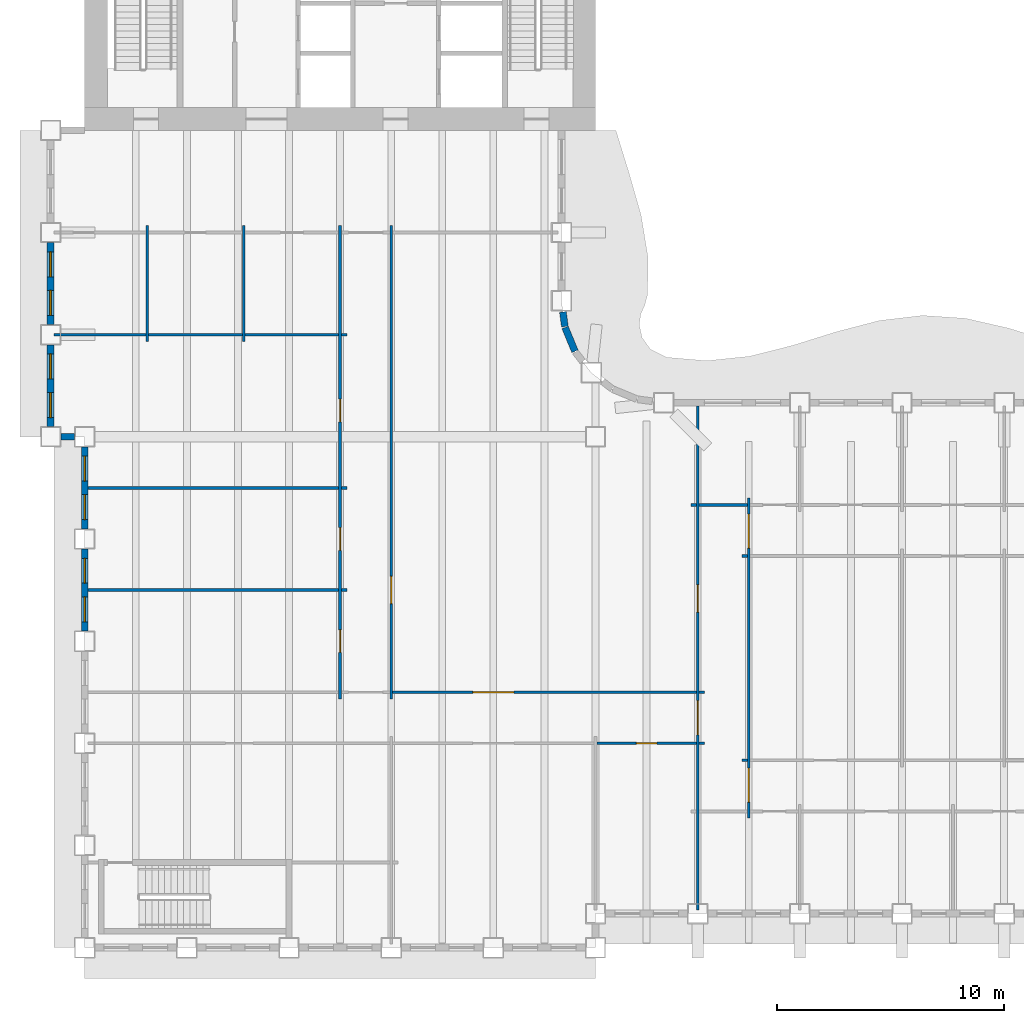
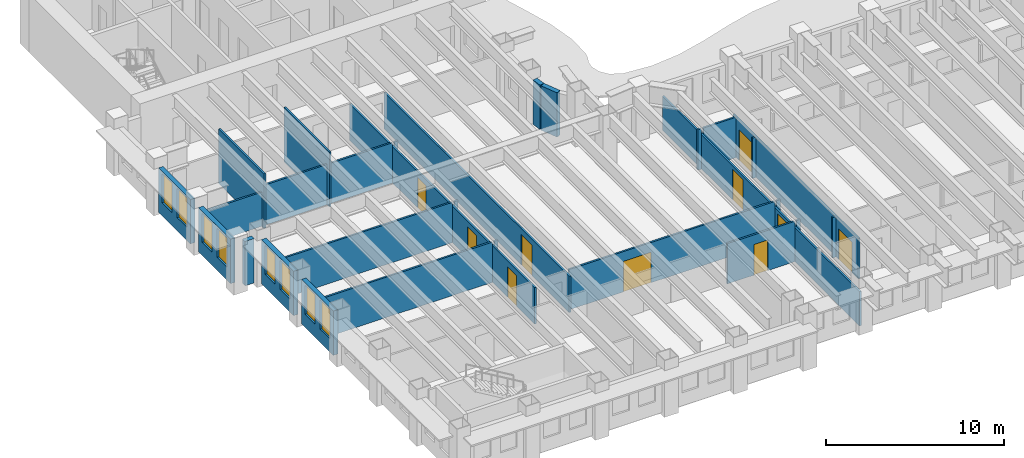
# One storey, part 4 of 16: 29 walls, 10 doors, 8 windows, 18 openings.
"""IFC4 building model written with IfcOpenShell, lengths in metres."""

from ifc_helpers import new_model, si_unit, direction, frame, frame_2d, origin, place, context, subcontext, project, spatial, rectangle, extrude, material, layer, layer_set, type_object, element, fill, save


model = new_model("IFC4")

# Units and contexts
model_context = context("Model", 3, precision=1e-05, world=origin(), true_north=direction((0.0, 1.0)))
body_context = subcontext(model_context, "Body", "Model", "MODEL_VIEW")
ifc_project = project(units=[si_unit("LENGTHUNIT", "METRE"), si_unit("AREAUNIT", "SQUARE_METRE"), si_unit("VOLUMEUNIT", "CUBIC_METRE"), si_unit("PLANEANGLEUNIT", "RADIAN"), si_unit("MASSUNIT", "GRAM", prefix="KILO")], contexts=[model_context])

# Site, building, storey
site_placement = place(None, origin())
site = spatial("IfcSite", under=ifc_project, at=site_placement, CompositionType="ELEMENT")
building_placement = place(site_placement, origin())
building = spatial("IfcBuilding", under=site, at=building_placement, Name="Sennacour Bend Tower", CompositionType="ELEMENT")
storey_placement = place(building_placement, frame((0.0, 0.0, 183.0)))
storey = spatial("IfcBuildingStorey", under=building, at=storey_placement, Name="L42", CompositionType="ELEMENT", Elevation=183.0)

# Walls
ifc_material_1 = material(Name="Plasterboard partition on steel studs", Category="steel")
ifc_layer_1 = layer(ifc_material_1, 0.1201171875, Name="Plasterboard partition on steel studs", Category="steel")
ifc_layer_set_1 = layer_set([ifc_layer_1], Name="Plasterboard partition on steel studs")
wall_type_1 = type_object("IfcWallType", Name="Partition 120", PredefinedType="PARTITIONING", material=ifc_layer_set_1)
for number, where, z_axis, x_axis, name in (
    (1, (2.75, 26.699951171875, 0.0), (0.0, 0.0, 1.0), (0.0, 1.0, 0.0), "P-L42-W004a"),
    (2, (7.0, 26.699951171875, 0.0), (0.0, 0.0, 1.0), (0.0, 1.0, 0.0), "P-L42-W008a"),
):
    element("IfcWall", number, at=place(storey_placement, frame(where, z_axis=z_axis, x_axis=x_axis)), inside=storey, type_object=wall_type_1, Name=name, PredefinedType="PARTITIONING", context=body_context, shape_type="SweptSolid", body=[
        extrude(rectangle(XDim=5.10009765625, YDim=0.1201171875, at=frame_2d((2.550048828125, 0.0))), origin(), (0.0, 0.0, 1.0), 3.75),
    ])

# Wall, openings, doors
wall_1_placement = place(storey_placement, frame((11.25, 10.949951171875, 0.0), z_axis=(0.0, 0.0, 1.0), x_axis=(0.0, 1.0, 0.0)))
wall_1 = element("IfcWall", 3, at=wall_1_placement, inside=storey, type_object=wall_type_1, Name="P-L42-W011a", PredefinedType="PARTITIONING", context=body_context, shape_type="SweptSolid", body=[
    extrude(rectangle(XDim=20.85009765625, YDim=0.1201171875, at=frame_2d((10.425048828125, 0.0))), origin(), (0.0, 0.0, 1.0), 2.5),
])
opening_1_placement = place(wall_1_placement, frame((2.050048828125, 0.0, 0.0)))
opening_1 = element("IfcOpeningElement", 4, at=opening_1_placement, cuts=wall_1, Name="Opening OD2", PredefinedType="OPENING", context=body_context, shape_type="SweptSolid", body=[
    extrude(rectangle(XDim=1.0, YDim=2.10009765625, at=frame_2d((0.5, 1.050048828125))), frame((0.0, 0.070068359375, 0.0), z_axis=(0.0, -1.0, 0.0), x_axis=(1.0, 0.0, 0.0)), (0.0, 0.0, 1.0), 0.14013671875),
])
opening_2_placement = place(wall_1_placement, frame((6.550048828125, 0.0, 0.0)))
opening_2 = element("IfcOpeningElement", 5, at=opening_2_placement, cuts=wall_1, Name="Opening OD2", PredefinedType="OPENING", context=body_context, shape_type="SweptSolid", body=[
    extrude(rectangle(XDim=1.0, YDim=2.10009765625, at=frame_2d((0.5, 1.050048828125))), frame((0.0, 0.070068359375, 0.0), z_axis=(0.0, -1.0, 0.0), x_axis=(1.0, 0.0, 0.0)), (0.0, 0.0, 1.0), 0.14013671875),
])
opening_3_placement = place(wall_1_placement, frame((12.205078125, 0.0, 0.0)))
opening_3 = element("IfcOpeningElement", 6, at=opening_3_placement, cuts=wall_1, Name="Opening OD2", PredefinedType="OPENING", context=body_context, shape_type="SweptSolid", body=[
    extrude(rectangle(XDim=1.0, YDim=2.10009765625, at=frame_2d((0.5, 1.050048828125))), frame((0.0, 0.070068359375, 0.0), z_axis=(0.0, -1.0, 0.0), x_axis=(1.0, 0.0, 0.0)), (0.0, 0.0, 1.0), 0.14013671875),
])
ifc_material_2 = material(Name="Timber", Category="wood")
door_type_1 = type_object("IfcDoorType", Name="DR-OFFICE-1000", OperationType="NOTDEFINED", PredefinedType="DOOR", material=ifc_material_2)
door_1_placement = place(opening_1_placement, origin())
door_1 = element("IfcDoor", 7, at=door_1_placement, inside=storey, type_object=door_type_1, Name="Door", OperationType="SINGLE_SWING_LEFT", OverallHeight=2.10009765625, OverallWidth=1.0, PredefinedType="DOOR", context=body_context, shape_type="SweptSolid", body=[
    extrude(rectangle(XDim=1.0, YDim=2.10009765625, at=frame_2d((0.5, 1.050048828125))), frame((0.0, 0.02490234375, 0.0), z_axis=(0.0, -1.0, 0.0), x_axis=(1.0, 0.0, 0.0)), (0.0, 0.0, 1.0), 0.050048828125),
])
fill(opening_1, door_1)
door_2_placement = place(opening_2_placement, origin())
door_2 = element("IfcDoor", 8, at=door_2_placement, inside=storey, type_object=door_type_1, Name="Door", OperationType="SINGLE_SWING_LEFT", OverallHeight=2.10009765625, OverallWidth=1.0, PredefinedType="DOOR", context=body_context, shape_type="SweptSolid", body=[
    extrude(rectangle(XDim=1.0, YDim=2.10009765625, at=frame_2d((0.5, 1.050048828125))), frame((0.0, 0.02490234375, 0.0), z_axis=(0.0, -1.0, 0.0), x_axis=(1.0, 0.0, 0.0)), (0.0, 0.0, 1.0), 0.050048828125),
])
fill(opening_2, door_2)
door_3_placement = place(opening_3_placement, origin())
door_3 = element("IfcDoor", 9, at=door_3_placement, inside=storey, type_object=door_type_1, Name="Door", OperationType="SINGLE_SWING_RIGHT", OverallHeight=2.10009765625, OverallWidth=1.0, PredefinedType="DOOR", context=body_context, shape_type="SweptSolid", body=[
    extrude(rectangle(XDim=1.0, YDim=2.10009765625, at=frame_2d((0.5, 1.050048828125))), frame((0.0, 0.02490234375, 0.0), z_axis=(0.0, -1.0, 0.0), x_axis=(1.0, 0.0, 0.0)), (0.0, 0.0, 1.0), 0.050048828125),
])
fill(opening_3, door_3)

# Wall, opening, door
wall_2_placement = place(storey_placement, frame((13.5, 10.949951171875, 0.0), z_axis=(0.0, 0.0, 1.0), x_axis=(0.0, 1.0, 0.0)))
wall_2 = element("IfcWall", 10, at=wall_2_placement, inside=storey, type_object=wall_type_1, Name="P-L42-W014a", PredefinedType="PARTITIONING", context=body_context, shape_type="SweptSolid", body=[
    extrude(rectangle(XDim=20.85009765625, YDim=0.1201171875, at=frame_2d((10.425048828125, 0.0))), origin(), (0.0, 0.0, 1.0), 2.5),
])
opening_4_placement = place(wall_2_placement, frame((4.199951171875, 0.0, 0.0)))
opening_4 = element("IfcOpeningElement", 11, at=opening_4_placement, cuts=wall_2, Name="Opening OD", PredefinedType="OPENING", context=body_context, shape_type="SweptSolid", body=[
    extrude(rectangle(XDim=1.199951171875, YDim=2.10009765625, at=frame_2d((0.60009765625, 1.050048828125))), frame((0.0, 0.070068359375, 0.0), z_axis=(0.0, -1.0, 0.0), x_axis=(1.0, 0.0, 0.0)), (0.0, 0.0, 1.0), 0.14013671875),
])
door_type_2 = type_object("IfcDoorType", Name="DR-OFFICE-1200", OperationType="NOTDEFINED", PredefinedType="DOOR", material=ifc_material_2)
door_4_placement = place(opening_4_placement, origin())
door_4 = element("IfcDoor", 12, at=door_4_placement, inside=storey, type_object=door_type_2, Name="Door", OperationType="SINGLE_SWING_LEFT", OverallHeight=2.10009765625, OverallWidth=1.199951171875, PredefinedType="DOOR", context=body_context, shape_type="SweptSolid", body=[
    extrude(rectangle(XDim=1.199951171875, YDim=2.10009765625, at=frame_2d((0.60009765625, 1.050048828125))), frame((0.0, 0.02490234375, 0.0), z_axis=(0.0, -1.0, 0.0), x_axis=(1.0, 0.0, 0.0)), (0.0, 0.0, 1.0), 0.050048828125),
])
fill(opening_4, door_4)

# Walls
for number, where, z_axis, x_axis, name in (
    (13, (28.949951171875, 8.25, 0.0), (0.0, 0.0, 1.0), (1.0, 0.0, 0.0), "P-L42-W058aa"),
    (14, (27.06005859375, 9.0, 0.0), (0.0, 0.0, 1.0), (1.0, 0.0, 0.0), "P-L42-W059ad"),
):
    element("IfcWall", number, at=place(storey_placement, frame(where, z_axis=z_axis, x_axis=x_axis)), inside=storey, type_object=wall_type_1, Name=name, PredefinedType="PARTITIONING", context=body_context, shape_type="SweptSolid", body=[
        extrude(rectangle(XDim=0.239990234375, YDim=0.1201171875, at=frame_2d((0.1201171875, 0.0))), origin(), (0.0, 0.0, 1.0), 2.77001953125),
    ])

# Wall, opening, door
wall_3_placement = place(storey_placement, frame((13.56005859375, 11.25, 0.0), z_axis=(0.0, 0.0, 1.0), x_axis=(1.0, 0.0, 0.0)))
wall_3 = element("IfcWall", 15, at=wall_3_placement, inside=storey, type_object=wall_type_1, Name="P-L42-W061ac", PredefinedType="PARTITIONING", context=body_context, shape_type="SweptSolid", body=[
    extrude(rectangle(XDim=13.3798828125, YDim=0.1201171875, at=frame_2d((6.68994140625, 0.0))), origin(), (0.0, 0.0, 1.0), 2.77001953125),
])
opening_5_placement = place(wall_3_placement, frame((3.539794921875, 0.0, 0.0)))
opening_5 = element("IfcOpeningElement", 16, at=opening_5_placement, cuts=wall_3, Name="Opening OD3", PredefinedType="OPENING", context=body_context, shape_type="SweptSolid", body=[
    extrude(rectangle(XDim=1.800048828125, YDim=2.10009765625, at=frame_2d((0.89990234375, 1.050048828125))), frame((0.0, 0.070068359375, 0.0), z_axis=(0.0, -1.0, 0.0), x_axis=(1.0, 0.0, 0.0)), (0.0, 0.0, 1.0), 0.14013671875),
])
door_type_3 = type_object("IfcDoorType", Name="DR-OFFICE-1800", OperationType="NOTDEFINED", PredefinedType="DOOR", material=ifc_material_2)
door_5_placement = place(opening_5_placement, origin())
door_5 = element("IfcDoor", 17, at=door_5_placement, inside=storey, type_object=door_type_3, Name="Door", OperationType="DOUBLE_DOOR_SINGLE_SWING", OverallHeight=2.10009765625, OverallWidth=1.800048828125, PredefinedType="DOOR", context=body_context, shape_type="SweptSolid", body=[
    extrude(rectangle(XDim=1.800048828125, YDim=2.10009765625, at=frame_2d((0.89990234375, 1.050048828125))), frame((0.0, 0.02490234375, 0.0), z_axis=(0.0, -1.0, 0.0), x_axis=(1.0, 0.0, 0.0)), (0.0, 0.0, 1.0), 0.050048828125),
])
fill(opening_5, door_5)

# Walls
wall_4_placement = place(storey_placement, frame((27.06005859375, 11.25, 0.0), z_axis=(0.0, 0.0, 1.0), x_axis=(1.0, 0.0, 0.0)))
element("IfcWall", 18, at=wall_4_placement, inside=storey, type_object=wall_type_1, Name="P-L42-W061ad", PredefinedType="PARTITIONING", context=body_context, shape_type="SweptSolid", body=[
    extrude(rectangle(XDim=0.239990234375, YDim=0.1201171875, at=frame_2d((0.1201171875, 0.0))), origin(), (0.0, 0.0, 1.0), 2.77001953125),
])
wall_5_placement = place(storey_placement, frame((0.14990234375, 15.75, 0.0), z_axis=(0.0, 0.0, 1.0), x_axis=(1.0, 0.0, 0.0)))
element("IfcWall", 19, at=wall_5_placement, inside=storey, type_object=wall_type_1, Name="P-L42-W067aa", PredefinedType="PARTITIONING", context=body_context, shape_type="SweptSolid", body=[
    extrude(rectangle(XDim=11.0400390625, YDim=0.1201171875, at=frame_2d((5.52001953125, 0.0))), origin(), (0.0, 0.0, 1.0), 2.77001953125),
])
for number, where, z_axis, x_axis, name in (
    (20, (11.31005859375, 15.75, 0.0), (0.0, 0.0, 1.0), (1.0, 0.0, 0.0), "P-L42-W067ab"),
    (21, (28.949951171875, 17.25, 0.0), (0.0, 0.0, 1.0), (1.0, 0.0, 0.0), "P-L42-W068aa"),
    (22, (26.699951171875, 19.5, 0.0), (0.0, 0.0, 1.0), (1.0, 0.0, 0.0), "P-L42-W072aa"),
):
    element("IfcWall", number, at=place(storey_placement, frame(where, z_axis=z_axis, x_axis=x_axis)), inside=storey, type_object=wall_type_1, Name=name, PredefinedType="PARTITIONING", context=body_context, shape_type="SweptSolid", body=[
        extrude(rectangle(XDim=0.239990234375, YDim=0.1201171875, at=frame_2d((0.1201171875, 0.0))), origin(), (0.0, 0.0, 1.0), 2.77001953125),
    ])
wall_6_placement = place(storey_placement, frame((27.06005859375, 19.5, 0.0), z_axis=(0.0, 0.0, 1.0), x_axis=(1.0, 0.0, 0.0)))
element("IfcWall", 23, at=wall_6_placement, inside=storey, type_object=wall_type_1, Name="P-L42-W072ab", PredefinedType="PARTITIONING", context=body_context, shape_type="SweptSolid", body=[
    extrude(rectangle(XDim=2.1298828125, YDim=0.1201171875, at=frame_2d((1.06494140625, 0.0))), origin(), (0.0, 0.0, 1.0), 2.77001953125),
])
wall_7_placement = place(storey_placement, frame((0.14990234375, 20.25, 0.0), z_axis=(0.0, 0.0, 1.0), x_axis=(1.0, 0.0, 0.0)))
element("IfcWall", 24, at=wall_7_placement, inside=storey, type_object=wall_type_1, Name="P-L42-W073aa", PredefinedType="PARTITIONING", context=body_context, shape_type="SweptSolid", body=[
    extrude(rectangle(XDim=11.0400390625, YDim=0.1201171875, at=frame_2d((5.52001953125, 0.0))), origin(), (0.0, 0.0, 1.0), 2.77001953125),
])
wall_8_placement = place(storey_placement, frame((11.31005859375, 20.25, 0.0), z_axis=(0.0, 0.0, 1.0), x_axis=(1.0, 0.0, 0.0)))
element("IfcWall", 25, at=wall_8_placement, inside=storey, type_object=wall_type_1, Name="P-L42-W073ab", PredefinedType="PARTITIONING", context=body_context, shape_type="SweptSolid", body=[
    extrude(rectangle(XDim=0.239990234375, YDim=0.1201171875, at=frame_2d((0.1201171875, 0.0))), origin(), (0.0, 0.0, 1.0), 2.77001953125),
])
wall_9_placement = place(storey_placement, frame((-1.35009765625, 27.0, 0.0), z_axis=(0.0, 0.0, 1.0), x_axis=(1.0, 0.0, 0.0)))
element("IfcWall", 26, at=wall_9_placement, inside=storey, type_object=wall_type_1, Name="P-L42-W075aa", PredefinedType="PARTITIONING", context=body_context, shape_type="SweptSolid", body=[
    extrude(rectangle(XDim=4.0400390625, YDim=0.1201171875, at=frame_2d((2.02001953125, 0.0))), origin(), (0.0, 0.0, 1.0), 2.35009765625),
])
for number, where, z_axis, x_axis, name in (
    (27, (2.81005859375, 27.0, 0.0), (0.0, 0.0, 1.0), (1.0, 0.0, 0.0), "P-L42-W075ab"),
    (28, (7.06005859375, 27.0, 0.0), (0.0, 0.0, 1.0), (1.0, 0.0, 0.0), "P-L42-W075ac"),
):
    element("IfcWall", number, at=place(storey_placement, frame(where, z_axis=z_axis, x_axis=x_axis)), inside=storey, type_object=wall_type_1, Name=name, PredefinedType="PARTITIONING", context=body_context, shape_type="SweptSolid", body=[
        extrude(rectangle(XDim=4.1298828125, YDim=0.1201171875, at=frame_2d((2.06494140625, 0.0))), origin(), (0.0, 0.0, 1.0), 2.77001953125),
    ])
wall_10_placement = place(storey_placement, frame((11.31005859375, 27.0, 0.0), z_axis=(0.0, 0.0, 1.0), x_axis=(1.0, 0.0, 0.0)))
element("IfcWall", 29, at=wall_10_placement, inside=storey, type_object=wall_type_1, Name="P-L42-W075ad", PredefinedType="PARTITIONING", context=body_context, shape_type="SweptSolid", body=[
    extrude(rectangle(XDim=0.239990234375, YDim=0.1201171875, at=frame_2d((0.1201171875, 0.0))), origin(), (0.0, 0.0, 1.0), 2.77001953125),
])

# Wall, openings, doors
ifc_layer_2 = layer(ifc_material_1, 0.1201171875, Name="Plasterboard partition on steel studs", Category="steel")
ifc_layer_set_2 = layer_set([ifc_layer_2], Name="Plasterboard partition on steel studs")
wall_type_2 = type_object("IfcWallType", Name="Partition 120 EI 30", PredefinedType="PARTITIONING", material=ifc_layer_set_2)
wall_11_placement = place(storey_placement, frame((27.0, 1.64990234375, 0.0), z_axis=(0.0, 0.0, 1.0), x_axis=(0.0, 1.0, 0.0)))
wall_11 = element("IfcWall", 30, at=wall_11_placement, inside=storey, type_object=wall_type_2, Name="P-L42-W022a", PredefinedType="PARTITIONING", context=body_context, shape_type="SweptSolid", body=[
    extrude(rectangle(XDim=22.2001953125, YDim=0.1201171875, at=frame_2d((11.10009765625, 0.0))), origin(), (0.0, 0.0, 1.0), 2.35009765625),
])
opening_6_placement = place(wall_11_placement, frame((7.72509765625, 0.0, 0.0)))
opening_6 = element("IfcOpeningElement", 31, at=opening_6_placement, cuts=wall_11, Name="Opening KD", PredefinedType="OPENING", context=body_context, shape_type="SweptSolid", body=[
    extrude(rectangle(XDim=1.5, YDim=2.10009765625, at=frame_2d((0.75, 1.050048828125))), frame((0.0, 0.070068359375, 0.0), z_axis=(0.0, -1.0, 0.0), x_axis=(1.0, 0.0, 0.0)), (0.0, 0.0, 1.0), 0.14013671875),
])
opening_7_placement = place(wall_11_placement, frame((13.125, 0.0, 0.0)))
opening_7 = element("IfcOpeningElement", 32, at=opening_7_placement, cuts=wall_11, Name="Opening OD", PredefinedType="OPENING", context=body_context, shape_type="SweptSolid", body=[
    extrude(rectangle(XDim=1.199951171875, YDim=2.10009765625, at=frame_2d((0.60009765625, 1.050048828125))), frame((0.0, 0.070068359375, 0.0), z_axis=(0.0, -1.0, 0.0), x_axis=(1.0, 0.0, 0.0)), (0.0, 0.0, 1.0), 0.14013671875),
])
ifc_material_3 = material(Name="Painted steel", Category="steel")
door_type_4 = type_object("IfcDoorType", Name="DR-CORRIDOR-1500", OperationType="NOTDEFINED", PredefinedType="DOOR", material=ifc_material_3)
door_6_placement = place(opening_6_placement, origin())
door_6 = element("IfcDoor", 33, at=door_6_placement, inside=storey, type_object=door_type_4, Name="Door", OperationType="SINGLE_SWING_LEFT", OverallHeight=2.10009765625, OverallWidth=1.5, PredefinedType="DOOR", context=body_context, shape_type="SweptSolid", body=[
    extrude(rectangle(XDim=1.5, YDim=2.10009765625, at=frame_2d((0.75, 1.050048828125))), frame((0.0, 0.02490234375, 0.0), z_axis=(0.0, -1.0, 0.0), x_axis=(1.0, 0.0, 0.0)), (0.0, 0.0, 1.0), 0.050048828125),
])
fill(opening_6, door_6)
door_7_placement = place(opening_7_placement, origin())
door_7 = element("IfcDoor", 34, at=door_7_placement, inside=storey, type_object=door_type_2, Name="Door", OperationType="SINGLE_SWING_RIGHT", OverallHeight=2.10009765625, OverallWidth=1.199951171875, PredefinedType="DOOR", context=body_context, shape_type="SweptSolid", body=[
    extrude(rectangle(XDim=1.199951171875, YDim=2.10009765625, at=frame_2d((0.60009765625, 1.050048828125))), frame((0.0, 0.02490234375, 0.0), z_axis=(0.0, -1.0, 0.0), x_axis=(1.0, 0.0, 0.0)), (0.0, 0.0, 1.0), 0.050048828125),
])
fill(opening_7, door_7)

wall_12_placement = place(storey_placement, frame((29.25, 5.699951171875, 0.0), z_axis=(0.0, 0.0, 1.0), x_axis=(0.0, 1.0, 0.0)))
wall_12 = element("IfcWall", 35, at=wall_12_placement, inside=storey, type_object=wall_type_2, Name="P-L42-W023a", PredefinedType="PARTITIONING", context=body_context, shape_type="SweptSolid", body=[
    extrude(rectangle(XDim=14.10009765625, YDim=0.1201171875, at=frame_2d((7.050048828125, 0.0))), origin(), (0.0, 0.0, 1.0), 2.77001953125),
])
opening_8_placement = place(wall_12_placement, frame((0.705078125, 0.0, 0.0)))
opening_8 = element("IfcOpeningElement", 36, at=opening_8_placement, cuts=wall_12, Name="Opening KD", PredefinedType="OPENING", context=body_context, shape_type="SweptSolid", body=[
    extrude(rectangle(XDim=1.5, YDim=2.10009765625, at=frame_2d((0.75, 1.050048828125))), frame((0.0, 0.070068359375, 0.0), z_axis=(0.0, -1.0, 0.0), x_axis=(1.0, 0.0, 0.0)), (0.0, 0.0, 1.0), 0.14013671875),
])
opening_9_placement = place(wall_12_placement, frame((11.89501953125, 0.0, 0.0)))
opening_9 = element("IfcOpeningElement", 37, at=opening_9_placement, cuts=wall_12, Name="Opening KD", PredefinedType="OPENING", context=body_context, shape_type="SweptSolid", body=[
    extrude(rectangle(XDim=1.5, YDim=2.10009765625, at=frame_2d((0.75, 1.050048828125))), frame((0.0, 0.070068359375, 0.0), z_axis=(0.0, -1.0, 0.0), x_axis=(1.0, 0.0, 0.0)), (0.0, 0.0, 1.0), 0.14013671875),
])
door_8_placement = place(opening_8_placement, origin())
door_8 = element("IfcDoor", 38, at=door_8_placement, inside=storey, type_object=door_type_4, Name="Door", OperationType="SINGLE_SWING_LEFT", OverallHeight=2.10009765625, OverallWidth=1.5, PredefinedType="DOOR", context=body_context, shape_type="SweptSolid", body=[
    extrude(rectangle(XDim=1.5, YDim=2.10009765625, at=frame_2d((0.75, 1.050048828125))), frame((0.0, 0.02490234375, 0.0), z_axis=(0.0, -1.0, 0.0), x_axis=(1.0, 0.0, 0.0)), (0.0, 0.0, 1.0), 0.050048828125),
])
fill(opening_8, door_8)
door_9_placement = place(opening_9_placement, origin())
door_9 = element("IfcDoor", 39, at=door_9_placement, inside=storey, type_object=door_type_4, Name="Door", OperationType="SINGLE_SWING_RIGHT", OverallHeight=2.10009765625, OverallWidth=1.5, PredefinedType="DOOR", context=body_context, shape_type="SweptSolid", body=[
    extrude(rectangle(XDim=1.5, YDim=2.10009765625, at=frame_2d((0.75, 1.050048828125))), frame((0.0, 0.02490234375, 0.0), z_axis=(0.0, -1.0, 0.0), x_axis=(1.0, 0.0, 0.0)), (0.0, 0.0, 1.0), 0.050048828125),
])
fill(opening_9, door_9)

# Wall, opening, door
ifc_layer_3 = layer(ifc_material_1, 0.1201171875, Name="Plasterboard partition on steel studs", Category="steel")
ifc_layer_set_3 = layer_set([ifc_layer_3], Name="Plasterboard partition on steel studs")
wall_type_3 = type_object("IfcWallType", Name="Partition 120 EI 60", PredefinedType="PARTITIONING", material=ifc_layer_set_3)
wall_13_placement = place(storey_placement, frame((22.56005859375, 9.0, 0.0), z_axis=(0.0, 0.0, 1.0), x_axis=(1.0, 0.0, 0.0)))
wall_13 = element("IfcWall", 40, at=wall_13_placement, inside=storey, type_object=wall_type_3, Name="P-L42-W059ac", PredefinedType="PARTITIONING", context=body_context, shape_type="SweptSolid", body=[
    extrude(rectangle(XDim=4.3798828125, YDim=0.1201171875, at=frame_2d((2.18994140625, 0.0))), origin(), (0.0, 0.0, 1.0), 2.77001953125),
])
opening_10_placement = place(wall_13_placement, frame((1.739990234375, 0.0, 0.0)))
opening_10 = element("IfcOpeningElement", 41, at=opening_10_placement, cuts=wall_13, Name="Opening SV", PredefinedType="OPENING", context=body_context, shape_type="SweptSolid", body=[
    extrude(rectangle(XDim=0.89990234375, YDim=2.10009765625, at=frame_2d((0.449951171875, 1.050048828125))), frame((0.0, 0.070068359375, 0.0), z_axis=(0.0, -1.0, 0.0), x_axis=(1.0, 0.0, 0.0)), (0.0, 0.0, 1.0), 0.14013671875),
])
door_type_5 = type_object("IfcDoorType", Name="DR-SERVICE-900", OperationType="NOTDEFINED", PredefinedType="DOOR", material=ifc_material_3)
door_10_placement = place(opening_10_placement, origin())
door_10 = element("IfcDoor", 42, at=door_10_placement, inside=storey, type_object=door_type_5, Name="Door", OperationType="SINGLE_SWING_LEFT", OverallHeight=2.10009765625, OverallWidth=0.89990234375, PredefinedType="DOOR", context=body_context, shape_type="SweptSolid", body=[
    extrude(rectangle(XDim=0.89990234375, YDim=2.10009765625, at=frame_2d((0.449951171875, 1.050048828125))), frame((0.0, 0.02490234375, 0.0), z_axis=(0.0, -1.0, 0.0), x_axis=(1.0, 0.0, 0.0)), (0.0, 0.0, 1.0), 0.050048828125),
])
fill(opening_10, door_10)

# Walls
ifc_material_4 = material(Name="Warm limestone cladding", Category="masonry")
ifc_layer_4 = layer(ifc_material_4, 0.050048828125, Name="Warm limestone cladding", Category="masonry")
ifc_material_5 = material(Name="Precast concrete C40/50", Category="concrete")
ifc_layer_5 = layer(ifc_material_5, 0.25, Name="Precast concrete C40/50", Category="concrete")
ifc_layer_set_4 = layer_set([ifc_layer_4, ifc_layer_5], Name="Precast concrete C40/50 with limestone cladding")
wall_type_4 = type_object("IfcWallType", Name="STONE-CLAD PRECAST SPANDREL 300", PredefinedType="STANDARD", material=ifc_layer_set_4)
wall_14_placement = place(storey_placement, frame((21.59521484375, 26.268310546875, 0.0), z_axis=(0.0, 0.0, 1.0), x_axis=(-0.382598720491, 0.923914616768, 0.0)))
element("IfcWall", 43, at=wall_14_placement, inside=storey, type_object=wall_type_4, Name="Stone spandrel and pier wall L42 13.00", PredefinedType="STANDARD", context=body_context, shape_type="SweptSolid", body=[
    extrude(rectangle(XDim=1.13525390625, YDim=0.300048828125, at=frame_2d((0.567626953125, 0.0))), origin(), (0.0, 0.0, 1.0), 3.049072265625),
])
wall_15_placement = place(storey_placement, frame((21.15087890625, 27.35498046875, 0.0), z_axis=(0.0, 0.0, 1.0), x_axis=(-0.130687655177, 0.991423590996, 0.0)))
element("IfcWall", 44, at=wall_15_placement, inside=storey, type_object=wall_type_4, Name="Stone spandrel and pier wall L42 14.00", PredefinedType="STANDARD", context=body_context, shape_type="SweptSolid", body=[
    extrude(rectangle(XDim=0.650146484375, YDim=0.300048828125, at=frame_2d((0.3251953125, 0.0))), origin(), (0.0, 0.0, 1.0), 3.049072265625),
])

# Wall, openings, windows
wall_16_placement = place(storey_placement, frame((-1.5, 31.050048828125, 0.0), z_axis=(0.0, 0.0, 1.0), x_axis=(0.0, -1.0, 0.0)))
wall_16 = element("IfcWall", 45, at=wall_16_placement, inside=storey, type_object=wall_type_4, Name="Stone spandrel and pier wall L42 21.01", PredefinedType="STANDARD", context=body_context, shape_type="SweptSolid", body=[
    extrude(rectangle(XDim=3.60009765625, YDim=0.300048828125, at=frame_2d((1.800048828125, 0.0))), origin(), (0.0, 0.0, 1.0), 3.049072265625),
])
opening_11_placement = place(wall_16_placement, frame((0.39990234375, 0.0, 0.89990234375)))
opening_11 = element("IfcOpeningElement", 46, at=opening_11_placement, cuts=wall_16, Name="Opening W19", PredefinedType="OPENING", context=body_context, shape_type="SweptSolid", body=[
    extrude(rectangle(XDim=1.10009765625, YDim=2.0, at=frame_2d((0.550048828125, 1.0))), frame((0.0, 0.16015625, 0.0), z_axis=(0.0, -1.0, 0.0), x_axis=(1.0, 0.0, 0.0)), (0.0, 0.0, 1.0), 0.320068359375),
])
opening_12_placement = place(wall_16_placement, frame((2.10009765625, 0.0, 0.89990234375)))
opening_12 = element("IfcOpeningElement", 47, at=opening_12_placement, cuts=wall_16, Name="Opening W19", PredefinedType="OPENING", context=body_context, shape_type="SweptSolid", body=[
    extrude(rectangle(XDim=1.10009765625, YDim=2.0, at=frame_2d((0.550048828125, 1.0))), frame((0.0, 0.16015625, 0.0), z_axis=(0.0, -1.0, 0.0), x_axis=(1.0, 0.0, 0.0)), (0.0, 0.0, 1.0), 0.320068359375),
])
ifc_material_6 = material(Name="Clear low-emissivity glass", Category="glass")
window_type = type_object("IfcWindowType", Name="WIN-RIBBON-1100x2000", PartitioningType="SINGLE_PANEL", PredefinedType="WINDOW", material=ifc_material_6)
window_1_placement = place(opening_11_placement, origin())
window_1 = element("IfcWindow", 48, at=window_1_placement, inside=storey, type_object=window_type, Name="Ribbon window L42 21.01.0", OverallHeight=2.0, OverallWidth=1.10009765625, PartitioningType="SINGLE_PANEL", PredefinedType="WINDOW", context=body_context, shape_type="SweptSolid", body=[
    extrude(rectangle(XDim=1.10009765625, YDim=2.0, at=frame_2d((0.550048828125, 1.0))), frame((0.0, 0.030029296875, 0.0), z_axis=(0.0, -1.0, 0.0), x_axis=(1.0, 0.0, 0.0)), (0.0, 0.0, 1.0), 0.06005859375),
])
fill(opening_11, window_1)
window_2_placement = place(opening_12_placement, origin())
window_2 = element("IfcWindow", 49, at=window_2_placement, inside=storey, type_object=window_type, Name="Ribbon window L42 21.01.1", OverallHeight=2.0, OverallWidth=1.10009765625, PartitioningType="SINGLE_PANEL", PredefinedType="WINDOW", context=body_context, shape_type="SweptSolid", body=[
    extrude(rectangle(XDim=1.10009765625, YDim=2.0, at=frame_2d((0.550048828125, 1.0))), frame((0.0, 0.030029296875, 0.0), z_axis=(0.0, -1.0, 0.0), x_axis=(1.0, 0.0, 0.0)), (0.0, 0.0, 1.0), 0.06005859375),
])
fill(opening_12, window_2)

wall_17_placement = place(storey_placement, frame((-1.5, 26.550048828125, 0.0), z_axis=(0.0, 0.0, 1.0), x_axis=(0.0, -1.0, 0.0)))
wall_17 = element("IfcWall", 50, at=wall_17_placement, inside=storey, type_object=wall_type_4, Name="Stone spandrel and pier wall L42 21.02", PredefinedType="STANDARD", context=body_context, shape_type="SweptSolid", body=[
    extrude(rectangle(XDim=3.60009765625, YDim=0.300048828125, at=frame_2d((1.800048828125, 0.0))), origin(), (0.0, 0.0, 1.0), 3.049072265625),
])
opening_13_placement = place(wall_17_placement, frame((0.39990234375, 0.0, 0.89990234375)))
opening_13 = element("IfcOpeningElement", 51, at=opening_13_placement, cuts=wall_17, Name="Opening W19", PredefinedType="OPENING", context=body_context, shape_type="SweptSolid", body=[
    extrude(rectangle(XDim=1.10009765625, YDim=2.0, at=frame_2d((0.550048828125, 1.0))), frame((0.0, 0.16015625, 0.0), z_axis=(0.0, -1.0, 0.0), x_axis=(1.0, 0.0, 0.0)), (0.0, 0.0, 1.0), 0.320068359375),
])
opening_14_placement = place(wall_17_placement, frame((2.10009765625, 0.0, 0.89990234375)))
opening_14 = element("IfcOpeningElement", 52, at=opening_14_placement, cuts=wall_17, Name="Opening W19", PredefinedType="OPENING", context=body_context, shape_type="SweptSolid", body=[
    extrude(rectangle(XDim=1.10009765625, YDim=2.0, at=frame_2d((0.550048828125, 1.0))), frame((0.0, 0.16015625, 0.0), z_axis=(0.0, -1.0, 0.0), x_axis=(1.0, 0.0, 0.0)), (0.0, 0.0, 1.0), 0.320068359375),
])
window_3_placement = place(opening_13_placement, origin())
window_3 = element("IfcWindow", 53, at=window_3_placement, inside=storey, type_object=window_type, Name="Ribbon window L42 21.02.0", OverallHeight=2.0, OverallWidth=1.10009765625, PartitioningType="SINGLE_PANEL", PredefinedType="WINDOW", context=body_context, shape_type="SweptSolid", body=[
    extrude(rectangle(XDim=1.10009765625, YDim=2.0, at=frame_2d((0.550048828125, 1.0))), frame((0.0, 0.030029296875, 0.0), z_axis=(0.0, -1.0, 0.0), x_axis=(1.0, 0.0, 0.0)), (0.0, 0.0, 1.0), 0.06005859375),
])
fill(opening_13, window_3)
window_4_placement = place(opening_14_placement, origin())
window_4 = element("IfcWindow", 54, at=window_4_placement, inside=storey, type_object=window_type, Name="Ribbon window L42 21.02.1", OverallHeight=2.0, OverallWidth=1.10009765625, PartitioningType="SINGLE_PANEL", PredefinedType="WINDOW", context=body_context, shape_type="SweptSolid", body=[
    extrude(rectangle(XDim=1.10009765625, YDim=2.0, at=frame_2d((0.550048828125, 1.0))), frame((0.0, 0.030029296875, 0.0), z_axis=(0.0, -1.0, 0.0), x_axis=(1.0, 0.0, 0.0)), (0.0, 0.0, 1.0), 0.06005859375),
])
fill(opening_14, window_4)

# Wall
wall_18_placement = place(storey_placement, frame((-1.050048828125, 22.5, 0.0), z_axis=(0.0, 0.0, 1.0), x_axis=(1.0, 0.0, 0.0)))
element("IfcWall", 55, at=wall_18_placement, inside=storey, type_object=wall_type_4, Name="Stone spandrel and pier wall L42 22.00", PredefinedType="STANDARD", context=body_context, shape_type="SweptSolid", body=[
    extrude(rectangle(XDim=0.60009765625, YDim=0.300048828125, at=frame_2d((0.300048828125, 0.0))), origin(), (0.0, 0.0, 1.0), 3.049072265625),
])

# Wall, openings, windows
wall_19_placement = place(storey_placement, frame((0.0, 22.050048828125, 0.0), z_axis=(0.0, 0.0, 1.0), x_axis=(0.0, -1.0, 0.0)))
wall_19 = element("IfcWall", 56, at=wall_19_placement, inside=storey, type_object=wall_type_4, Name="Stone spandrel and pier wall L42 23.00", PredefinedType="STANDARD", context=body_context, shape_type="SweptSolid", body=[
    extrude(rectangle(XDim=3.60009765625, YDim=0.300048828125, at=frame_2d((1.800048828125, 0.0))), origin(), (0.0, 0.0, 1.0), 3.049072265625),
])
opening_15_placement = place(wall_19_placement, frame((0.39990234375, 0.0, 0.89990234375)))
opening_15 = element("IfcOpeningElement", 57, at=opening_15_placement, cuts=wall_19, Name="Opening W19", PredefinedType="OPENING", context=body_context, shape_type="SweptSolid", body=[
    extrude(rectangle(XDim=1.10009765625, YDim=2.0, at=frame_2d((0.550048828125, 1.0))), frame((0.0, 0.16015625, 0.0), z_axis=(0.0, -1.0, 0.0), x_axis=(1.0, 0.0, 0.0)), (0.0, 0.0, 1.0), 0.320068359375),
])
opening_16_placement = place(wall_19_placement, frame((2.10009765625, 0.0, 0.89990234375)))
opening_16 = element("IfcOpeningElement", 58, at=opening_16_placement, cuts=wall_19, Name="Opening W19", PredefinedType="OPENING", context=body_context, shape_type="SweptSolid", body=[
    extrude(rectangle(XDim=1.10009765625, YDim=2.0, at=frame_2d((0.550048828125, 1.0))), frame((0.0, 0.16015625, 0.0), z_axis=(0.0, -1.0, 0.0), x_axis=(1.0, 0.0, 0.0)), (0.0, 0.0, 1.0), 0.320068359375),
])
window_5_placement = place(opening_15_placement, origin())
window_5 = element("IfcWindow", 59, at=window_5_placement, inside=storey, type_object=window_type, Name="Ribbon window L42 23.00.0", OverallHeight=2.0, OverallWidth=1.10009765625, PartitioningType="SINGLE_PANEL", PredefinedType="WINDOW", context=body_context, shape_type="SweptSolid", body=[
    extrude(rectangle(XDim=1.10009765625, YDim=2.0, at=frame_2d((0.550048828125, 1.0))), frame((0.0, 0.030029296875, 0.0), z_axis=(0.0, -1.0, 0.0), x_axis=(1.0, 0.0, 0.0)), (0.0, 0.0, 1.0), 0.06005859375),
])
fill(opening_15, window_5)
window_6_placement = place(opening_16_placement, origin())
window_6 = element("IfcWindow", 60, at=window_6_placement, inside=storey, type_object=window_type, Name="Ribbon window L42 23.00.1", OverallHeight=2.0, OverallWidth=1.10009765625, PartitioningType="SINGLE_PANEL", PredefinedType="WINDOW", context=body_context, shape_type="SweptSolid", body=[
    extrude(rectangle(XDim=1.10009765625, YDim=2.0, at=frame_2d((0.550048828125, 1.0))), frame((0.0, 0.030029296875, 0.0), z_axis=(0.0, -1.0, 0.0), x_axis=(1.0, 0.0, 0.0)), (0.0, 0.0, 1.0), 0.06005859375),
])
fill(opening_16, window_6)

wall_20_placement = place(storey_placement, frame((0.0, 17.550048828125, 0.0), z_axis=(0.0, 0.0, 1.0), x_axis=(0.0, -1.0, 0.0)))
wall_20 = element("IfcWall", 61, at=wall_20_placement, inside=storey, type_object=wall_type_4, Name="Stone spandrel and pier wall L42 23.01", PredefinedType="STANDARD", context=body_context, shape_type="SweptSolid", body=[
    extrude(rectangle(XDim=3.60009765625, YDim=0.300048828125, at=frame_2d((1.800048828125, 0.0))), origin(), (0.0, 0.0, 1.0), 3.049072265625),
])
opening_17_placement = place(wall_20_placement, frame((0.39990234375, 0.0, 0.89990234375)))
opening_17 = element("IfcOpeningElement", 62, at=opening_17_placement, cuts=wall_20, Name="Opening W19", PredefinedType="OPENING", context=body_context, shape_type="SweptSolid", body=[
    extrude(rectangle(XDim=1.10009765625, YDim=2.0, at=frame_2d((0.550048828125, 1.0))), frame((0.0, 0.16015625, 0.0), z_axis=(0.0, -1.0, 0.0), x_axis=(1.0, 0.0, 0.0)), (0.0, 0.0, 1.0), 0.320068359375),
])
opening_18_placement = place(wall_20_placement, frame((2.10009765625, 0.0, 0.89990234375)))
opening_18 = element("IfcOpeningElement", 63, at=opening_18_placement, cuts=wall_20, Name="Opening W19", PredefinedType="OPENING", context=body_context, shape_type="SweptSolid", body=[
    extrude(rectangle(XDim=1.10009765625, YDim=2.0, at=frame_2d((0.550048828125, 1.0))), frame((0.0, 0.16015625, 0.0), z_axis=(0.0, -1.0, 0.0), x_axis=(1.0, 0.0, 0.0)), (0.0, 0.0, 1.0), 0.320068359375),
])
window_7_placement = place(opening_17_placement, origin())
window_7 = element("IfcWindow", 64, at=window_7_placement, inside=storey, type_object=window_type, Name="Ribbon window L42 23.01.0", OverallHeight=2.0, OverallWidth=1.10009765625, PartitioningType="SINGLE_PANEL", PredefinedType="WINDOW", context=body_context, shape_type="SweptSolid", body=[
    extrude(rectangle(XDim=1.10009765625, YDim=2.0, at=frame_2d((0.550048828125, 1.0))), frame((0.0, 0.030029296875, 0.0), z_axis=(0.0, -1.0, 0.0), x_axis=(1.0, 0.0, 0.0)), (0.0, 0.0, 1.0), 0.06005859375),
])
fill(opening_17, window_7)
window_8_placement = place(opening_18_placement, origin())
window_8 = element("IfcWindow", 65, at=window_8_placement, inside=storey, type_object=window_type, Name="Ribbon window L42 23.01.1", OverallHeight=2.0, OverallWidth=1.10009765625, PartitioningType="SINGLE_PANEL", PredefinedType="WINDOW", context=body_context, shape_type="SweptSolid", body=[
    extrude(rectangle(XDim=1.10009765625, YDim=2.0, at=frame_2d((0.550048828125, 1.0))), frame((0.0, 0.030029296875, 0.0), z_axis=(0.0, -1.0, 0.0), x_axis=(1.0, 0.0, 0.0)), (0.0, 0.0, 1.0), 0.06005859375),
])
fill(opening_18, window_8)

save(model, "model.ifc")
